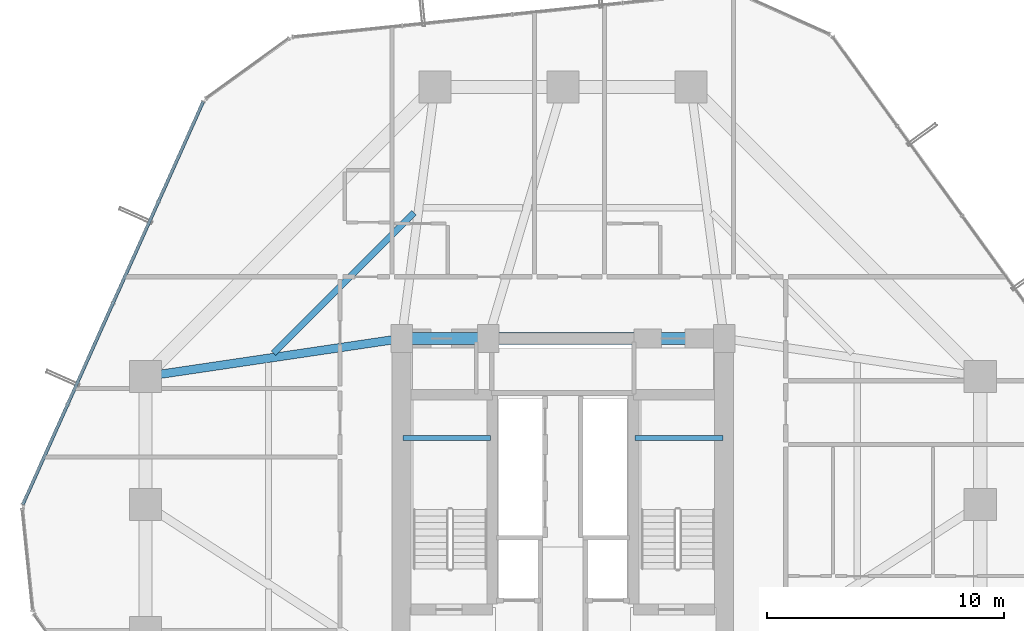
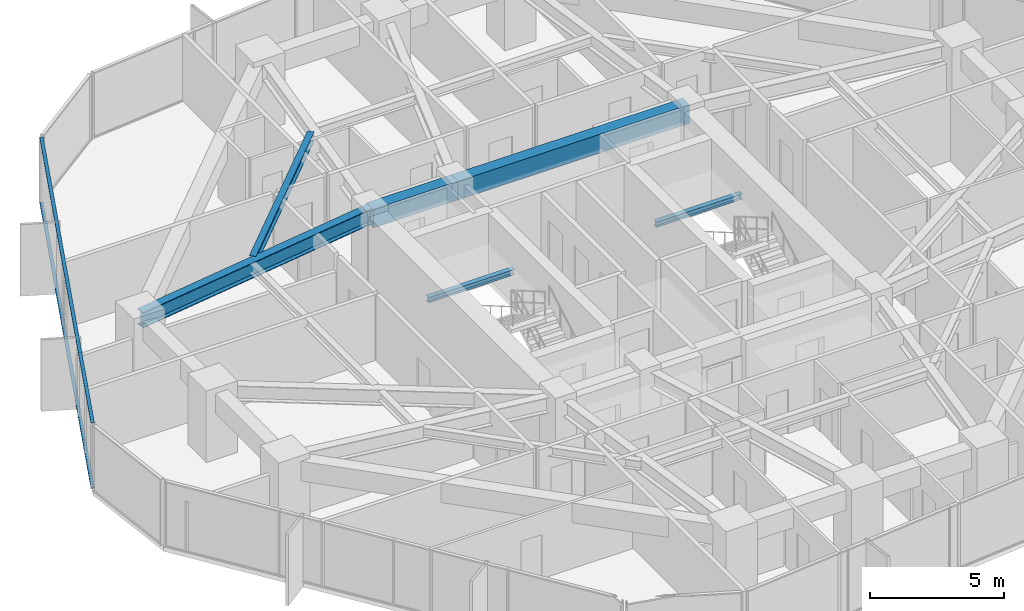
# One storey, part 13 of 37: 6 beams, 2 members, 1 element without a shape of its own.
"""IFC4 building model written with IfcOpenShell, lengths in metres."""

from ifc_helpers import new_model, si_unit, direction, frame, origin, origin_2d, place, context, subcontext, project, spatial, rectangle, hollow_rectangle, i_section, extrude, source, transform, mapped, material, layer, layer_set, material_profile, profile_set, type_object, element, aggregate, save


model = new_model("IFC4")

# Units and contexts
model_context = context("Model", 3, precision=1e-05, world=origin(), true_north=direction((0.0, 1.0)))
body_context = subcontext(model_context, "Body", "Model", "MODEL_VIEW")
ifc_project = project(units=[si_unit("LENGTHUNIT", "METRE"), si_unit("AREAUNIT", "SQUARE_METRE"), si_unit("VOLUMEUNIT", "CUBIC_METRE"), si_unit("PLANEANGLEUNIT", "RADIAN"), si_unit("MASSUNIT", "GRAM", prefix="KILO")], contexts=[model_context])

# Site, building, storey
site_placement = place(None, origin())
site = spatial("IfcSite", under=ifc_project, at=site_placement, CompositionType="ELEMENT")
building_placement = place(site_placement, origin())
building = spatial("IfcBuilding", under=site, at=building_placement, Name="Veraguas Prism Commons", CompositionType="ELEMENT")
storey_placement = place(building_placement, frame((0.0, 0.0, 43.550048828125)))
storey = spatial("IfcBuildingStorey", under=building, at=storey_placement, Name="L11", CompositionType="ELEMENT", Elevation=43.550048828125)

# Beams
ifc_material_1 = material(Name="Concrete C50/60", Category="concrete")
ifc_material_profile_1 = material_profile(ifc_material_1, rectangle(XDim=0.5, YDim=0.85009765625, at=origin_2d()), Name="RC500X850")
ifc_profile_set_1 = profile_set([ifc_material_profile_1], Name="Concrete C50/60")
beam_type_1 = type_object("IfcBeamType", Name="Core Coupling Beam RC 500x850", PredefinedType="BEAM", material=ifc_profile_set_1)
beam_1_placement = place(storey_placement, frame((17.199951171875, 31.0, 2.574951171875), z_axis=(1.0, 0.0, 0.0), x_axis=(0.0, 1.0, 0.0)))
element("IfcBeam", 1, at=beam_1_placement, inside=storey, type_object=beam_type_1, Name="Core Coupling Beam L11-CRN1", PredefinedType="BEAM", context=body_context, shape_type="SweptSolid", body=[
    extrude(rectangle(XDim=0.5, YDim=0.85009765625, at=origin_2d()), origin(), (0.0, 0.0, 1.0), 3.650146484375),
])
beam_2_placement = place(storey_placement, frame((20.85009765625, 31.0, 2.574951171875), z_axis=(1.0, 0.0, 0.0), x_axis=(0.0, 1.0, 0.0)))
element("IfcBeam", 2, at=beam_2_placement, inside=storey, type_object=beam_type_1, Name="Core Coupling Beam L11-CRN2", PredefinedType="BEAM", context=body_context, shape_type="SweptSolid", body=[
    extrude(rectangle(XDim=0.5, YDim=0.85009765625, at=origin_2d()), origin(), (0.0, 0.0, 1.0), 9.949951171875),
])
ifc_material_2 = material(Name="Steel ASTM A992 Grade 50", Category="steel")
ifc_material_profile_2 = material_profile(ifc_material_2, i_section(OverallWidth=0.260986328125, OverallDepth=0.419921875, WebThickness=0.01171875, FlangeThickness=0.019287109375, at=origin_2d()), Name="W410X114")
ifc_profile_set_2 = profile_set([ifc_material_profile_2], Name="Steel ASTM A992 Grade 50")
beam_type_2 = type_object("IfcBeamType", Name="Lower Floor Joist W410x114", PredefinedType="JOIST", material=ifc_profile_set_2)
beam_3_placement = place(storey_placement, frame((17.723388671875, 36.3076171875, 2.7900390625), z_axis=(-0.707092226423, -0.70712133565, 0.0), x_axis=(0.70712133565, -0.707092226423, 0.0)))
element("IfcBeam", 3, at=beam_3_placement, inside=storey, type_object=beam_type_2, Name="Composite Floor Joist L11-JS06", PredefinedType="JOIST", context=body_context, shape_type="SweptSolid", body=[
    extrude(i_section(OverallWidth=0.260986328125, OverallDepth=0.419921875, WebThickness=0.01171875, FlangeThickness=0.019287109375, at=origin_2d()), origin(), (0.0, 0.0, 1.0), 8.386962890625),
])
ifc_material_profile_3 = material_profile(ifc_material_2, i_section(OverallWidth=0.202880859375, OverallDepth=0.251953125, WebThickness=0.008056640625, FlangeThickness=0.013427734375, at=origin_2d()), Name="W250X58")
ifc_profile_set_3 = profile_set([ifc_material_profile_3], Name="Steel ASTM A992 Grade 50")
beam_type_3 = type_object("IfcBeamType", Name="Structural Opening Lintel W250x58", PredefinedType="LINTEL", material=ifc_profile_set_3)
for number, where, z_axis, x_axis, name in (
    (4, (17.25, 26.800048828125, 1.299072265625), (1.0, 0.0, 0.0), (0.0, 1.0, 0.0), "Stair ST-01 Half-Landing Support Beam L11-1"),
    (5, (27.050048828125, 26.800048828125, 1.299072265625), (1.0, 0.0, 0.0), (0.0, 1.0, 0.0), "Stair ST-02 Half-Landing Support Beam L11-1"),
):
    element("IfcBeam", number, at=place(storey_placement, frame(where, z_axis=z_axis, x_axis=x_axis)), inside=storey, type_object=beam_type_3, Name=name, PredefinedType="LINTEL", context=body_context, shape_type="SweptSolid", body=[
        extrude(i_section(OverallWidth=0.202880859375, OverallDepth=0.251953125, WebThickness=0.008056640625, FlangeThickness=0.013427734375, at=origin_2d()), origin(), (0.0, 0.0, 1.0), 3.699951171875),
    ])
ifc_material_profile_4 = material_profile(ifc_material_2, i_section(OverallWidth=0.35595703125, OverallDepth=0.700927734375, WebThickness=0.016845703125, FlangeThickness=0.02734375, at=origin_2d()), Name="W690X240")
ifc_profile_set_4 = profile_set([ifc_material_profile_4], Name="Steel ASTM A992 Grade 50")
beam_type_4 = type_object("IfcBeamType", Name="Zone 1 Radial Girder W690x240", PredefinedType="BEAM", material=ifc_profile_set_4)
beam_4_placement = place(storey_placement, frame((6.39990234375, 29.39990234375, 2.6494140625), z_axis=(0.989202261707, 0.146556765224, 0.0), x_axis=(-0.146556765224, 0.989202261707, 0.0)))
element("IfcBeam", 6, at=beam_4_placement, inside=storey, type_object=beam_type_4, Name="Radial Floor Girder L11-RD07", PredefinedType="BEAM", context=body_context, shape_type="SweptSolid", body=[
    extrude(i_section(OverallWidth=0.35595703125, OverallDepth=0.700927734375, WebThickness=0.016845703125, FlangeThickness=0.02734375, at=origin_2d()), origin(), (0.0, 0.0, 1.0), 10.91796875),
])

# Curtain wall, members
ifc_material_3 = material(Name="Anodised aluminium EN AW-6063 T6", Category="aluminium")
ifc_layer = layer(ifc_material_3, 0.169921875, Name="Unitised Flush Curtain Wall Zone 1", Category="aluminium")
ifc_layer_set = layer_set([ifc_layer], Name="Anodised aluminium EN AW-6063 T6")
curtain_wall_type = type_object("IfcCurtainWallType", Name="Unitised Flush Curtain Wall Zone 1", PredefinedType="NOTDEFINED", material=ifc_layer_set)
curtain_wall_placement = place(storey_placement, origin())
curtain_wall = element("IfcCurtainWall", 7, at=curtain_wall_placement, inside=storey, type_object=curtain_wall_type, Name="Tower Facade Curtain Wall L11-F3", PredefinedType="NOTDEFINED")
ifc_material_profile_5 = material_profile(ifc_material_3, hollow_rectangle(XDim=0.054931640625, YDim=0.135009765625, WallThickness=0.0029296875, at=origin_2d()), Name="AL55X135X3")
ifc_profile_set_5 = profile_set([ifc_material_profile_5], Name="Anodised aluminium EN AW-6063 T6")
member_type = type_object("IfcMemberType", Name="Curtain Wall Transom Standard AL 55x135x3", PredefinedType="USERDEFINED", material=ifc_profile_set_5)
shared_shape = source(origin(), body_context, "Body", "SweptSolid", [
    extrude(hollow_rectangle(XDim=0.054931640625, YDim=0.135009765625, WallThickness=0.0029296875, at=origin_2d()), origin(), (0.0, 0.0, 1.0), 18.62353515625),
])
member_1_placement = place(storey_placement, frame((8.83544921875, 40.992431640625, 0.02734375), z_axis=(-0.408653489369, -0.91268961078, 0.0), x_axis=(0.0, 0.0, 1.0)))
member_1 = element("IfcMember", 8, at=member_1_placement, type_object=member_type, Name="CW-Z1 Transom 1", ObjectType="TRANSOM", PredefinedType="USERDEFINED", context=body_context, shape_type="MappedRepresentation", body=[
    mapped(shared_shape, transform((0.0, 0.0, 0.0), scale=1.0)),
])
member_2_placement = place(storey_placement, frame((8.83544921875, 40.992431640625, 2.972412109375), z_axis=(-0.408653489369, -0.91268961078, 0.0), x_axis=(0.0, 0.0, 1.0)))
member_2 = element("IfcMember", 9, at=member_2_placement, type_object=member_type, Name="CW-Z1 Transom 2", ObjectType="TRANSOM", PredefinedType="USERDEFINED", context=body_context, shape_type="MappedRepresentation", body=[
    mapped(shared_shape, transform((0.0, 0.0, 0.0), scale=1.0)),
])
aggregate(curtain_wall, [member_1, member_2])

save(model, "model.ifc")
